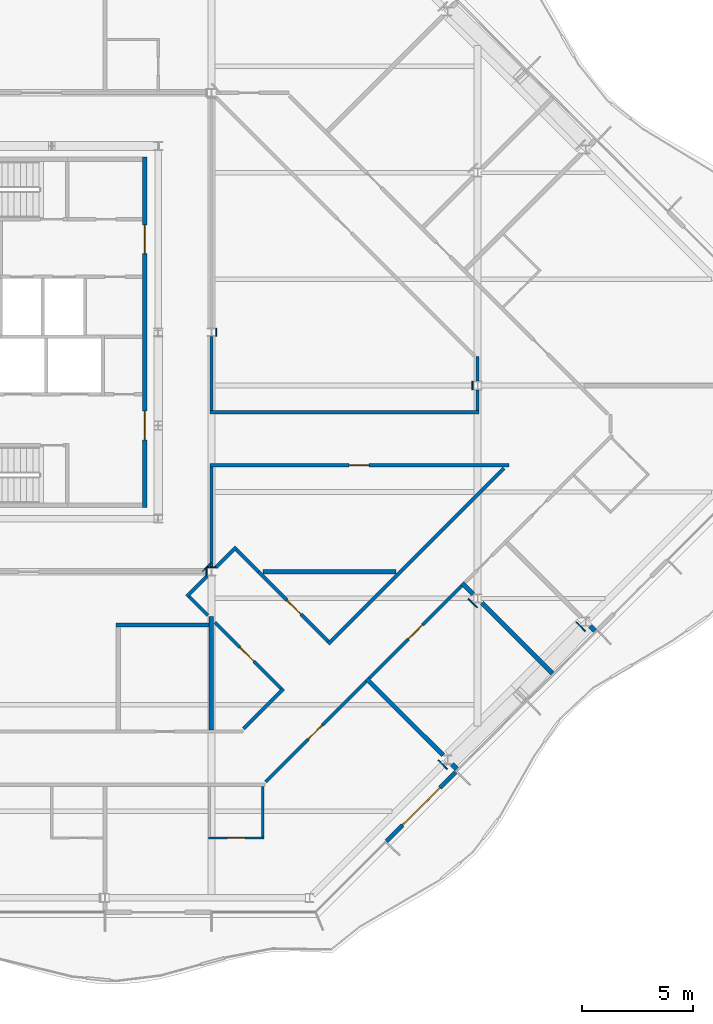
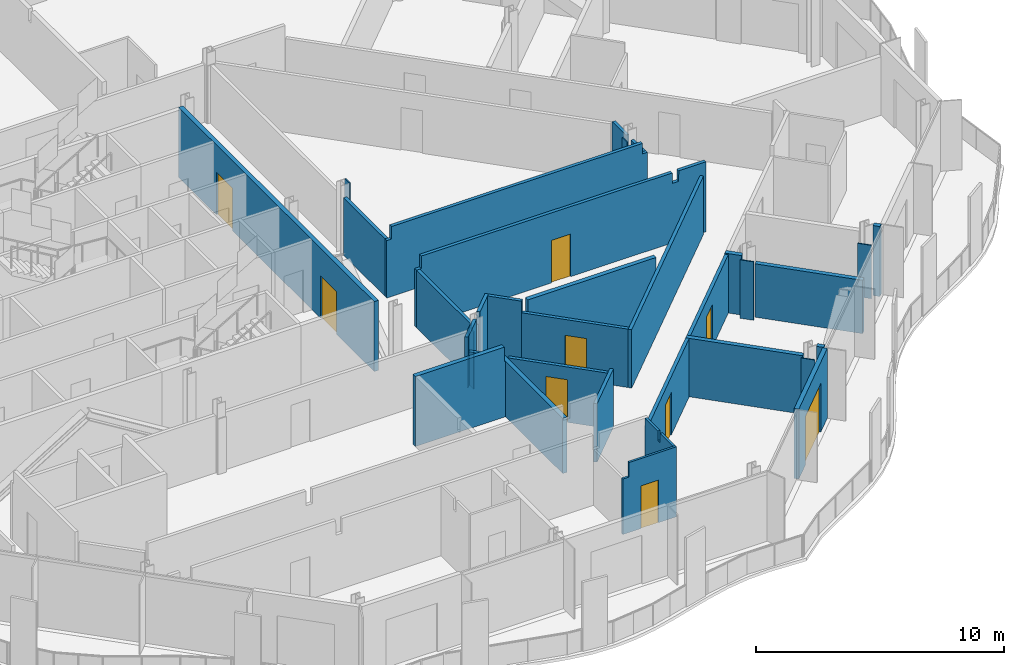
# One storey, part 9 of 17: 36 walls, 9 doors, 9 openings.
"""IFC4 building model written with IfcOpenShell, lengths in metres."""

from ifc_helpers import new_model, si_unit, direction, frame, frame_2d, origin, place, context, subcontext, project, spatial, polyline, rectangle, outline, extrude, material, layer, layer_set, type_object, element, fill, save


model = new_model("IFC4")

# Units and contexts
model_context = context("Model", 3, precision=1e-05, world=origin(), true_north=direction((0.0, 1.0)))
body_context = subcontext(model_context, "Body", "Model", "MODEL_VIEW")
ifc_project = project(units=[si_unit("LENGTHUNIT", "METRE"), si_unit("AREAUNIT", "SQUARE_METRE"), si_unit("VOLUMEUNIT", "CUBIC_METRE"), si_unit("PLANEANGLEUNIT", "RADIAN"), si_unit("MASSUNIT", "GRAM", prefix="KILO")], contexts=[model_context])

# Site, building, storey
site_placement = place(None, origin())
site = spatial("IfcSite", under=ifc_project, at=site_placement, CompositionType="ELEMENT")
building_placement = place(site_placement, origin())
building = spatial("IfcBuilding", under=site, at=building_placement, Name="Cairn Pilgrim Tower", CompositionType="ELEMENT")
storey_placement = place(building_placement, frame((0.0, 0.0, 239.39990234375)))
storey = spatial("IfcBuildingStorey", under=building, at=storey_placement, Name="L61", CompositionType="ELEMENT", Elevation=239.39990234375)

# Wall, opening, door
ifc_material_1 = material(Name="Bronze anodised aluminium insulated sandwich panel with mineral wool fill", Category="aluminium")
ifc_layer_1 = layer(ifc_material_1, 0.199951171875)
ifc_layer_set_1 = layer_set([ifc_layer_1], Name="BRONZE INFILL FRAME WALL 200")
wall_type_1 = type_object("IfcWallType", Name="BRONZE INFILL FRAME WALL 200", PredefinedType="NOTDEFINED", material=ifc_layer_set_1)
wall_1_placement = place(storey_placement, frame((27.09326171875, -20.55322265625, 0.0), z_axis=(0.0, 0.0, 1.0), x_axis=(0.707079231393, 0.707134329907, 0.0)))
wall_1 = element("IfcWall", 1, at=wall_1_placement, inside=storey, type_object=wall_type_1, Name="Bronze infill frame wall IW-SE2", PredefinedType="NOTDEFINED", context=body_context, shape_type="SweptSolid", body=[
    extrude(rectangle(XDim=4.430908203125, YDim=0.199951171875, at=frame_2d((2.21533203125, 0.0))), origin(), (0.0, 0.0, 1.0), 3.4501953125),
])
opening_1_placement = place(wall_1_placement, frame((1.015380859375, 0.0, 0.0)))
opening_1 = element("IfcOpeningElement", 2, at=opening_1_placement, cuts=wall_1, Name="Opening 6101B", PredefinedType="OPENING", context=body_context, shape_type="SweptSolid", body=[
    extrude(rectangle(XDim=2.39990234375, YDim=2.39990234375, at=frame_2d((1.199951171875, 1.199951171875))), frame((0.0, 0.10986328125, 0.0), z_axis=(0.0, -1.0, 0.0), x_axis=(1.0, 0.0, 0.0)), (0.0, 0.0, 1.0), 0.219970703125),
])
ifc_material_2 = material(Name="Bronze anodised aluminium frame with tinted low-E glass", Category="aluminium")
door_type_1 = type_object("IfcDoorType", Name="BALCONY SLIDING DOOR 2400x2400", OperationType="DOUBLE_DOOR_SLIDING", PredefinedType="DOOR", material=ifc_material_2)
door_1_placement = place(opening_1_placement, origin())
door_1 = element("IfcDoor", 3, at=door_1_placement, inside=storey, type_object=door_type_1, Name="Balcony sliding door 6101B", OperationType="SINGLE_SWING_LEFT", OverallHeight=2.39990234375, OverallWidth=2.39990234375, PredefinedType="DOOR", context=body_context, shape_type="SweptSolid", body=[
    extrude(rectangle(XDim=2.39990234375, YDim=2.39990234375, at=frame_2d((1.199951171875, 1.199951171875))), frame((0.0, 0.02490234375, 0.0), z_axis=(0.0, -1.0, 0.0), x_axis=(1.0, 0.0, 0.0)), (0.0, 0.0, 1.0), 0.050048828125),
])
fill(opening_1, door_1)

# Wall, openings, doors
ifc_material_3 = material(Name="Concrete C32/40", Category="concrete")
ifc_layer_2 = layer(ifc_material_3, 0.199951171875)
ifc_layer_set_2 = layer_set([ifc_layer_2], Name="CORE OUTER WALL 200 EI 120")
wall_type_2 = type_object("IfcWallType", Name="CORE OUTER WALL 200 EI 120", PredefinedType="SOLIDWALL", material=ifc_layer_set_2)
wall_2_placement = place(storey_placement, frame((16.199951171875, -5.5, 0.0), z_axis=(0.0, 0.0, 1.0), x_axis=(0.0, 1.0, 0.0)))
wall_2 = element("IfcWall", 4, at=wall_2_placement, inside=storey, type_object=wall_type_2, Name="CW:L61:V31", PredefinedType="SOLIDWALL", context=body_context, shape_type="SweptSolid", body=[
    extrude(rectangle(XDim=15.800048828125, YDim=0.199951171875, at=frame_2d((7.89990234375, 0.0))), origin(), (0.0, 0.0, 1.0), 3.4501953125),
])
opening_2_placement = place(wall_2_placement, frame((3.050048828125, 0.0, 0.0)))
opening_2 = element("IfcOpeningElement", 5, at=opening_2_placement, cuts=wall_2, Name="Opening CD-E1", PredefinedType="OPENING", context=body_context, shape_type="SweptSolid", body=[
    extrude(rectangle(XDim=1.300048828125, YDim=2.10009765625, at=frame_2d((0.64990234375, 1.050048828125))), frame((0.0, 0.10986328125, 0.0), z_axis=(0.0, -1.0, 0.0), x_axis=(1.0, 0.0, 0.0)), (0.0, 0.0, 1.0), 0.219970703125),
])
opening_3_placement = place(wall_2_placement, frame((11.449951171875, 0.0, 0.0)))
opening_3 = element("IfcOpeningElement", 6, at=opening_3_placement, cuts=wall_2, Name="Opening CD-E2", PredefinedType="OPENING", context=body_context, shape_type="SweptSolid", body=[
    extrude(rectangle(XDim=1.300048828125, YDim=2.10009765625, at=frame_2d((0.64990234375, 1.050048828125))), frame((0.0, 0.10986328125, 0.0), z_axis=(0.0, -1.0, 0.0), x_axis=(1.0, 0.0, 0.0)), (0.0, 0.0, 1.0), 0.219970703125),
])
ifc_material_4 = material(Name="Painted steel", Category="steel")
door_type_2 = type_object("IfcDoorType", Name="CORE LOBBY DOOR 1300x2100", OperationType="DOUBLE_DOOR_SINGLE_SWING", PredefinedType="DOOR", material=ifc_material_4)
door_2_placement = place(opening_2_placement, origin())
door_2 = element("IfcDoor", 7, at=door_2_placement, inside=storey, type_object=door_type_2, Name="CD-E1", OperationType="DOUBLE_DOOR_SINGLE_SWING", OverallHeight=2.10009765625, OverallWidth=1.300048828125, PredefinedType="DOOR", context=body_context, shape_type="SweptSolid", body=[
    extrude(rectangle(XDim=1.300048828125, YDim=2.10009765625, at=frame_2d((0.64990234375, 1.050048828125))), frame((0.0, 0.02490234375, 0.0), z_axis=(0.0, -1.0, 0.0), x_axis=(1.0, 0.0, 0.0)), (0.0, 0.0, 1.0), 0.050048828125),
])
fill(opening_2, door_2)
door_3_placement = place(opening_3_placement, origin())
door_3 = element("IfcDoor", 8, at=door_3_placement, inside=storey, type_object=door_type_2, Name="CD-E2", OperationType="DOUBLE_DOOR_SINGLE_SWING", OverallHeight=2.10009765625, OverallWidth=1.300048828125, PredefinedType="DOOR", context=body_context, shape_type="SweptSolid", body=[
    extrude(rectangle(XDim=1.300048828125, YDim=2.10009765625, at=frame_2d((0.64990234375, 1.050048828125))), frame((0.0, 0.02490234375, 0.0), z_axis=(0.0, -1.0, 0.0), x_axis=(1.0, 0.0, 0.0)), (0.0, 0.0, 1.0), 0.050048828125),
])
fill(opening_3, door_3)

# Wall, opening, door
ifc_material_5 = material(Name="Gypsum partition")
ifc_layer_3 = layer(ifc_material_5, 0.10009765625)
ifc_layer_set_3 = layer_set([ifc_layer_3], Name="PARTITION 100 DRYWALL")
wall_type_3 = type_object("IfcWallType", Name="PARTITION 100 DRYWALL", PredefinedType="PARTITIONING", material=ifc_layer_set_3)
wall_3_placement = place(storey_placement, frame((19.06494140625, -20.39990234375, 0.0), z_axis=(0.0, 0.0, 1.0), x_axis=(1.0, 0.0, 0.0)))
wall_3 = element("IfcWall", 9, at=wall_3_placement, inside=storey, type_object=wall_type_3, Name="PARTITION W005", PredefinedType="PARTITIONING", context=body_context, shape_type="SweptSolid", body=[
    extrude(outline(polyline([(0.0, 0.0), (2.5, 0.0), (2.5, 3.4501953125), (0.284912109375, 3.4501953125), (0.282958984375, 2.72998046875), (0.0, 2.72998046875), (0.0, 0.0)])), frame((0.0, 0.050048828125, 0.0), z_axis=(0.0, -1.0, 0.0), x_axis=(1.0, 0.0, 0.0)), (0.0, 0.0, 1.0), 0.10009765625),
])
opening_4_placement = place(wall_3_placement, frame((0.85009765625, 0.0, 0.0)))
opening_4 = element("IfcOpeningElement", 10, at=opening_4_placement, cuts=wall_3, Name="Opening 6101A", PredefinedType="OPENING", context=body_context, shape_type="SweptSolid", body=[
    extrude(rectangle(XDim=0.800048828125, YDim=2.10009765625, at=frame_2d((0.39990234375, 1.050048828125))), frame((0.0, 0.06005859375, 0.0), z_axis=(0.0, -1.0, 0.0), x_axis=(1.0, 0.0, 0.0)), (0.0, 0.0, 1.0), 0.1201171875),
])
ifc_material_6 = material(Name="Timber door leaf", Category="wood")
door_type_3 = type_object("IfcDoorType", Name="WC DOOR 800x2100", OperationType="NOTDEFINED", PredefinedType="DOOR", material=ifc_material_6)
door_4_placement = place(opening_4_placement, frame((0.800048828125, 0.0, 0.0), z_axis=(0.0, 0.0, 1.0), x_axis=(-1.0, 0.0, 0.0)))
door_4 = element("IfcDoor", 11, at=door_4_placement, inside=storey, type_object=door_type_3, Name="DOOR 6101A", OperationType="SINGLE_SWING_RIGHT", OverallHeight=2.10009765625, OverallWidth=0.800048828125, PredefinedType="DOOR", context=body_context, shape_type="SweptSolid", body=[
    extrude(rectangle(XDim=0.800048828125, YDim=2.10009765625, at=frame_2d((0.39990234375, 1.050048828125))), frame((0.0, 0.02490234375, 0.0), z_axis=(0.0, -1.0, 0.0), x_axis=(1.0, 0.0, 0.0)), (0.0, 0.0, 1.0), 0.050048828125),
])
fill(opening_4, door_4)

# Wall
wall_4_placement = place(storey_placement, frame((21.514892578125, -20.35009765625, 0.0), z_axis=(0.0, 0.0, 1.0), x_axis=(0.0, 1.0, 0.0)))
element("IfcWall", 12, at=wall_4_placement, inside=storey, type_object=wall_type_3, Name="PARTITION W007", PredefinedType="PARTITIONING", context=body_context, shape_type="SweptSolid", body=[
    extrude(outline(polyline([(0.0, 0.0), (2.275146484375, 0.0), (2.27490234375, 3.4501953125), (1.2451171875, 3.4501953125), (1.242919921875, 2.97998046875), (1.054931640625, 2.97998046875), (1.052978515625, 3.4501953125), (0.0, 3.4501953125), (0.0, 0.0)])), frame((0.0, 0.050048828125, 0.0), z_axis=(0.0, -1.0, 0.0), x_axis=(1.0, 0.0, 0.0)), (0.0, 0.0, 1.0), 0.10009765625),
])

# Wall, opening, door
ifc_layer_4 = layer(ifc_material_5, 0.14990234375)
ifc_layer_set_4 = layer_set([ifc_layer_4], Name="PARTITION 150 DRYWALL EI 60")
wall_type_4 = type_object("IfcWallType", Name="PARTITION 150 DRYWALL EI 60", PredefinedType="PARTITIONING", material=ifc_layer_set_4)
wall_5_placement = place(storey_placement, frame((21.64306640625, -17.8720703125, 0.0), z_axis=(0.0, 0.0, 1.0), x_axis=(0.707106781187, 0.707106781187, 0.0)))
wall_5 = element("IfcWall", 13, at=wall_5_placement, inside=storey, type_object=wall_type_4, Name="PARTITION W009", PredefinedType="PARTITIONING", context=body_context, shape_type="SweptSolid", body=[
    extrude(rectangle(XDim=6.408203125, YDim=0.14990234375, at=frame_2d((3.2041015625, 0.0))), origin(), (0.0, 0.0, 1.0), 2.880126953125),
])
opening_5_placement = place(wall_5_placement, frame((2.713134765625, 0.0, 0.0)))
opening_5 = element("IfcOpeningElement", 14, at=opening_5_placement, cuts=wall_5, Name="Opening 6101", PredefinedType="OPENING", context=body_context, shape_type="SweptSolid", body=[
    extrude(rectangle(XDim=0.89990234375, YDim=2.10009765625, at=frame_2d((0.449951171875, 1.050048828125))), frame((0.0, 0.0849609375, 0.0), z_axis=(0.0, -1.0, 0.0), x_axis=(1.0, 0.0, 0.0)), (0.0, 0.0, 1.0), 0.169921875),
])
door_type_4 = type_object("IfcDoorType", Name="ROOM DOOR 900x2100 FD30S", OperationType="NOTDEFINED", PredefinedType="DOOR", material=ifc_material_6)
door_5_placement = place(opening_5_placement, frame((0.89990234375, 0.0, 0.0), z_axis=(0.0, 0.0, 1.0), x_axis=(-1.0, 0.0, 0.0)))
door_5 = element("IfcDoor", 15, at=door_5_placement, inside=storey, type_object=door_type_4, Name="DOOR 6101", OperationType="SINGLE_SWING_RIGHT", OverallHeight=2.10009765625, OverallWidth=0.89990234375, PredefinedType="DOOR", context=body_context, shape_type="SweptSolid", body=[
    extrude(rectangle(XDim=0.89990234375, YDim=2.10009765625, at=frame_2d((0.449951171875, 1.050048828125))), frame((0.0, 0.02490234375, 0.0), z_axis=(0.0, -1.0, 0.0), x_axis=(1.0, 0.0, 0.0)), (0.0, 0.0, 1.0), 0.050048828125),
])
fill(opening_5, door_5)

# Wall
wall_6_placement = place(storey_placement, frame((20.64892578125, -15.471923828125, 0.0), z_axis=(0.0, 0.0, 1.0), x_axis=(0.707106781187, 0.707106781187, 0.0)))
element("IfcWall", 16, at=wall_6_placement, inside=storey, type_object=wall_type_4, Name="PARTITION W016", PredefinedType="PARTITIONING", context=body_context, shape_type="SweptSolid", body=[
    extrude(rectangle(XDim=2.55126953125, YDim=0.14990234375, at=frame_2d((1.275634765625, 0.0))), origin(), (0.0, 0.0, 1.0), 2.880126953125),
])

# Wall, opening, door
wall_7_placement = place(storey_placement, frame((22.346923828125, -13.66796875, 0.0), z_axis=(0.0, 0.0, 1.0), x_axis=(-0.707106781187, 0.707106781187, 0.0)))
wall_7 = element("IfcWall", 17, at=wall_7_placement, inside=storey, type_object=wall_type_4, Name="PARTITION W018", PredefinedType="PARTITIONING", context=body_context, shape_type="SweptSolid", body=[
    extrude(rectangle(XDim=4.234130859375, YDim=0.14990234375, at=frame_2d((2.1171875, 0.0))), origin(), (0.0, 0.0, 1.0), 2.72998046875),
])
opening_6_placement = place(wall_7_placement, frame((1.737060546875, 0.0, 0.0)))
opening_6 = element("IfcOpeningElement", 18, at=opening_6_placement, cuts=wall_7, Name="Opening 6117", PredefinedType="OPENING", context=body_context, shape_type="SweptSolid", body=[
    extrude(rectangle(XDim=0.89990234375, YDim=2.10009765625, at=frame_2d((0.449951171875, 1.050048828125))), frame((0.0, 0.0849609375, 0.0), z_axis=(0.0, -1.0, 0.0), x_axis=(1.0, 0.0, 0.0)), (0.0, 0.0, 1.0), 0.169921875),
])
door_type_5 = type_object("IfcDoorType", Name="SERVICE DOOR 900x2100 FD30S", OperationType="NOTDEFINED", PredefinedType="DOOR", material=ifc_material_6)
door_6_placement = place(opening_6_placement, origin())
door_6 = element("IfcDoor", 19, at=door_6_placement, inside=storey, type_object=door_type_5, Name="DOOR 6117", OperationType="SINGLE_SWING_LEFT", OverallHeight=2.10009765625, OverallWidth=0.89990234375, PredefinedType="DOOR", context=body_context, shape_type="SweptSolid", body=[
    extrude(rectangle(XDim=0.89990234375, YDim=2.10009765625, at=frame_2d((0.449951171875, 1.050048828125))), frame((0.0, 0.02490234375, 0.0), z_axis=(0.0, -1.0, 0.0), x_axis=(1.0, 0.0, 0.0)), (0.0, 0.0, 1.0), 0.050048828125),
])
fill(opening_6, door_6)

wall_8_placement = place(storey_placement, frame((26.315673828125, -13.19921875, 0.0), z_axis=(0.0, 0.0, 1.0), x_axis=(0.707024001185, 0.707189551498, 0.0)))
wall_8 = element("IfcWall", 20, at=wall_8_placement, inside=storey, type_object=wall_type_4, Name="PARTITION W020", PredefinedType="PARTITIONING", context=body_context, shape_type="SweptSolid", body=[
    extrude(rectangle(XDim=5.89892578125, YDim=0.14990234375, at=frame_2d((2.949462890625, 0.0))), origin(), (0.0, 0.0, 1.0), 2.880126953125),
])
opening_7_placement = place(wall_8_placement, frame((2.499755859375, 0.0, 0.0)))
opening_7 = element("IfcOpeningElement", 21, at=opening_7_placement, cuts=wall_8, Name="Opening 6102", PredefinedType="OPENING", context=body_context, shape_type="SweptSolid", body=[
    extrude(rectangle(XDim=0.89990234375, YDim=2.10009765625, at=frame_2d((0.449951171875, 1.050048828125))), frame((0.0, 0.0849609375, 0.0), z_axis=(0.0, -1.0, 0.0), x_axis=(1.0, 0.0, 0.0)), (0.0, 0.0, 1.0), 0.169921875),
])
door_7_placement = place(opening_7_placement, frame((0.89990234375, 0.0, 0.0), z_axis=(0.0, 0.0, 1.0), x_axis=(-1.0, 0.0, 0.0)))
door_7 = element("IfcDoor", 22, at=door_7_placement, inside=storey, type_object=door_type_5, Name="DOOR 6102", OperationType="SINGLE_SWING_RIGHT", OverallHeight=2.10009765625, OverallWidth=0.89990234375, PredefinedType="DOOR", context=body_context, shape_type="SweptSolid", body=[
    extrude(rectangle(XDim=0.89990234375, YDim=2.10009765625, at=frame_2d((0.449951171875, 1.050048828125))), frame((0.0, 0.02490234375, 0.0), z_axis=(0.0, -1.0, 0.0), x_axis=(1.0, 0.0, 0.0)), (0.0, 0.0, 1.0), 0.050048828125),
])
fill(opening_7, door_7)

# Wall
wall_9_placement = place(storey_placement, frame((24.468017578125, -11.653076171875, 0.0), z_axis=(0.0, 0.0, 1.0), x_axis=(0.707095889299, 0.707117672906, 0.0)))
element("IfcWall", 23, at=wall_9_placement, inside=storey, type_object=wall_type_4, Name="PARTITION W023", PredefinedType="PARTITIONING", context=body_context, shape_type="SweptSolid", body=[
    extrude(rectangle(XDim=11.20751953125, YDim=0.14990234375, at=frame_2d((5.603759765625, 0.0))), origin(), (0.0, 0.0, 1.0), 2.880126953125),
])

# Wall, opening, door
wall_10_placement = place(storey_placement, frame((24.468017578125, -11.547119140625, 0.0), z_axis=(0.0, 0.0, 1.0), x_axis=(-0.707079353217, 0.707134208093, 0.0)))
wall_10 = element("IfcWall", 24, at=wall_10_placement, inside=storey, type_object=wall_type_4, Name="PARTITION W026", PredefinedType="PARTITIONING", context=body_context, shape_type="SweptSolid", body=[
    extrude(rectangle(XDim=4.45068359375, YDim=0.14990234375, at=frame_2d((2.225341796875, 0.0))), origin(), (0.0, 0.0, 1.0), 2.880126953125),
])
opening_8_placement = place(wall_10_placement, frame((1.738525390625, 0.0, 0.0)))
opening_8 = element("IfcOpeningElement", 25, at=opening_8_placement, cuts=wall_10, Name="Opening 6118", PredefinedType="OPENING", context=body_context, shape_type="SweptSolid", body=[
    extrude(rectangle(XDim=0.89990234375, YDim=2.10009765625, at=frame_2d((0.449951171875, 1.050048828125))), frame((0.0, 0.0849609375, 0.0), z_axis=(0.0, -1.0, 0.0), x_axis=(1.0, 0.0, 0.0)), (0.0, 0.0, 1.0), 0.169921875),
])
door_8_placement = place(opening_8_placement, frame((0.89990234375, 0.0, 0.0), z_axis=(0.0, 0.0, 1.0), x_axis=(-1.0, 0.0, 0.0)))
door_8 = element("IfcDoor", 26, at=door_8_placement, inside=storey, type_object=door_type_5, Name="DOOR 6118", OperationType="SINGLE_SWING_LEFT", OverallHeight=2.10009765625, OverallWidth=0.89990234375, PredefinedType="DOOR", context=body_context, shape_type="SweptSolid", body=[
    extrude(rectangle(XDim=0.89990234375, YDim=2.10009765625, at=frame_2d((0.449951171875, 1.050048828125))), frame((0.0, 0.02490234375, 0.0), z_axis=(0.0, -1.0, 0.0), x_axis=(1.0, 0.0, 0.0)), (0.0, 0.0, 1.0), 0.050048828125),
])
fill(opening_8, door_8)

# Walls
wall_11_placement = place(storey_placement, frame((19.047119140625, -10.3681640625, 0.0), z_axis=(0.0, 0.0, 1.0), x_axis=(-0.707409718716, 0.706803713817, 0.0)))
element("IfcWall", 27, at=wall_11_placement, inside=storey, type_object=wall_type_4, Name="PARTITION W029", PredefinedType="PARTITIONING", context=body_context, shape_type="SweptSolid", body=[
    extrude(rectangle(XDim=1.20849609375, YDim=0.14990234375, at=frame_2d((0.604248046875, 0.0))), origin(), (0.0, 0.0, 1.0), 2.72998046875),
])
wall_12_placement = place(storey_placement, frame((18.0859375, -9.513916015625, 0.0), z_axis=(0.0, 0.0, 1.0), x_axis=(0.707200419109, 0.707013130862, 0.0)))
element("IfcWall", 28, at=wall_12_placement, inside=storey, type_object=wall_type_4, Name="PARTITION W031", PredefinedType="PARTITIONING", context=body_context, shape_type="SweptSolid", body=[
    extrude(rectangle(XDim=1.303466796875, YDim=0.14990234375, at=frame_2d((0.65185546875, 0.0))), origin(), (0.0, 0.0, 1.0), 3.4501953125),
])
wall_13_placement = place(storey_placement, frame((21.321044921875, -8.39990234375, 0.0), z_axis=(0.0, 0.0, 1.0), x_axis=(-0.706763941595, 0.707449454633, 0.0)))
element("IfcWall", 29, at=wall_13_placement, inside=storey, type_object=wall_type_4, Name="PARTITION W036", PredefinedType="PARTITIONING", context=body_context, shape_type="SweptSolid", body=[
    extrude(rectangle(XDim=1.424560546875, YDim=0.14990234375, at=frame_2d((0.71240234375, 0.0))), origin(), (0.0, 0.0, 1.0), 3.4501953125),
])
wall_14_placement = place(storey_placement, frame((19.199951171875, -8.21240234375, 0.0), z_axis=(0.0, 0.0, 1.0), x_axis=(0.0, 1.0, 0.0)))
element("IfcWall", 30, at=wall_14_placement, inside=storey, type_object=wall_type_4, Name="PARTITION W039", PredefinedType="PARTITIONING", context=body_context, shape_type="SweptSolid", body=[
    extrude(rectangle(XDim=4.537353515625, YDim=0.14990234375, at=frame_2d((2.2685546875, 0.0))), origin(), (0.0, 0.0, 1.0), 2.830078125),
])
wall_15_placement = place(storey_placement, frame((19.392333984375, -8.207763671875, 0.0), z_axis=(0.0, 0.0, 1.0), x_axis=(0.707106781187, 0.707106781187, 0.0)))
element("IfcWall", 31, at=wall_15_placement, inside=storey, type_object=wall_type_4, Name="PARTITION W040", PredefinedType="PARTITIONING", context=body_context, shape_type="SweptSolid", body=[
    extrude(rectangle(XDim=1.3037109375, YDim=0.14990234375, at=frame_2d((0.65185546875, 0.0))), origin(), (0.0, 0.0, 1.0), 3.4501953125),
])

# Wall, opening, door
wall_16_placement = place(storey_placement, frame((19.125, -3.60009765625, 0.0), z_axis=(0.0, 0.0, 1.0), x_axis=(1.0, 0.0, 0.0)))
wall_16 = element("IfcWall", 32, at=wall_16_placement, inside=storey, type_object=wall_type_4, Name="PARTITION W046", PredefinedType="PARTITIONING", context=body_context, shape_type="SweptSolid", body=[
    extrude(outline(polyline([(0.0, 0.0), (13.502197265625, 0.0), (13.502197265625, 3.4501953125), (12.22509765625, 3.4501953125), (12.222900390625, 2.93017578125), (11.925048828125, 2.93017578125), (11.923095703125, 3.4501953125), (0.22509765625, 3.4501953125), (0.222900390625, 2.830078125), (0.0, 2.830078125), (0.0, 0.0)])), frame((0.0, 0.074951171875, 0.0), z_axis=(0.0, -1.0, 0.0), x_axis=(1.0, 0.0, 0.0)), (0.0, 0.0, 1.0), 0.14990234375),
])
opening_9_placement = place(wall_16_placement, frame((6.285888671875, 0.0, 0.0)))
opening_9 = element("IfcOpeningElement", 33, at=opening_9_placement, cuts=wall_16, Name="Opening 6119", PredefinedType="OPENING", context=body_context, shape_type="SweptSolid", body=[
    extrude(rectangle(XDim=0.89990234375, YDim=2.10009765625, at=frame_2d((0.449951171875, 1.050048828125))), frame((0.0, 0.0849609375, 0.0), z_axis=(0.0, -1.0, 0.0), x_axis=(1.0, 0.0, 0.0)), (0.0, 0.0, 1.0), 0.169921875),
])
door_9_placement = place(opening_9_placement, frame((0.89990234375, 0.0, 0.0), z_axis=(0.0, 0.0, 1.0), x_axis=(-1.0, 0.0, 0.0)))
door_9 = element("IfcDoor", 34, at=door_9_placement, inside=storey, type_object=door_type_5, Name="DOOR 6119", OperationType="SINGLE_SWING_LEFT", OverallHeight=2.10009765625, OverallWidth=0.89990234375, PredefinedType="DOOR", context=body_context, shape_type="SweptSolid", body=[
    extrude(rectangle(XDim=0.89990234375, YDim=2.10009765625, at=frame_2d((0.449951171875, 1.050048828125))), frame((0.0, 0.02490234375, 0.0), z_axis=(0.0, -1.0, 0.0), x_axis=(1.0, 0.0, 0.0)), (0.0, 0.0, 1.0), 0.050048828125),
])
fill(opening_9, door_9)

# Walls
wall_17_placement = place(storey_placement, frame((19.125, -1.199951171875, 0.0), z_axis=(0.0, 0.0, 1.0), x_axis=(1.0, 0.0, 0.0)))
element("IfcWall", 35, at=wall_17_placement, inside=storey, type_object=wall_type_4, Name="PARTITION W051", PredefinedType="PARTITIONING", context=body_context, shape_type="SweptSolid", body=[
    extrude(outline(polyline([(0.0, 0.0), (12.14990234375, 0.0), (12.14990234375, 2.93017578125), (11.925048828125, 2.93017578125), (11.923095703125, 3.4501953125), (0.22509765625, 3.4501953125), (0.222900390625, 2.830078125), (0.0, 2.830078125), (0.0, 0.0)])), frame((0.0, 0.074951171875, 0.0), z_axis=(0.0, -1.0, 0.0), x_axis=(1.0, 0.0, 0.0)), (0.0, 0.0, 1.0), 0.14990234375),
])
wall_18_placement = place(storey_placement, frame((19.199951171875, -1.125, 0.0), z_axis=(0.0, 0.0, 1.0), x_axis=(0.0, 1.0, 0.0)))
element("IfcWall", 36, at=wall_18_placement, inside=storey, type_object=wall_type_4, Name="PARTITION W052", PredefinedType="PARTITIONING", context=body_context, shape_type="SweptSolid", body=[
    extrude(rectangle(XDim=3.33740234375, YDim=0.14990234375, at=frame_2d((1.668701171875, 0.0))), origin(), (0.0, 0.0, 1.0), 2.830078125),
])
wall_19_placement = place(storey_placement, frame((31.199951171875, -1.125, 0.0), z_axis=(0.0, 0.0, 1.0), x_axis=(0.0, 1.0, 0.0)))
element("IfcWall", 37, at=wall_19_placement, inside=storey, type_object=wall_type_4, Name="PARTITION W053", PredefinedType="PARTITIONING", context=body_context, shape_type="SweptSolid", body=[
    extrude(rectangle(XDim=0.928466796875, YDim=0.14990234375, at=frame_2d((0.46435546875, 0.0))), origin(), (0.0, 0.0, 1.0), 2.93017578125),
])
wall_20_placement = place(storey_placement, frame((31.199951171875, 0.196533203125, 0.0), z_axis=(0.0, 0.0, 1.0), x_axis=(0.0, 1.0, 0.0)))
element("IfcWall", 38, at=wall_20_placement, inside=storey, type_object=wall_type_4, Name="PARTITION W056", PredefinedType="PARTITIONING", context=body_context, shape_type="SweptSolid", body=[
    extrude(rectangle(XDim=1.109619140625, YDim=0.14990234375, at=frame_2d((0.5546875, 0.0))), origin(), (0.0, 0.0, 1.0), 2.93017578125),
])
ifc_layer_5 = layer(ifc_material_5, 0.050048828125)
ifc_layer_set_5 = layer_set([ifc_layer_5], Name="PARTITION 50 DRYWALL EI 60")
wall_type_5 = type_object("IfcWallType", Name="PARTITION 50 DRYWALL EI 60", PredefinedType="PARTITIONING", material=ifc_layer_set_5)
wall_21_placement = place(storey_placement, frame((29.833984375, -17.298828125, 0.0), z_axis=(0.0, 0.0, 1.0), x_axis=(-0.707319540847, 0.70689395749, 0.0)))
element("IfcWall", 39, at=wall_21_placement, inside=storey, type_object=wall_type_5, Name="COLUMN CASING WC02", PredefinedType="PARTITIONING", context=body_context, shape_type="SweptSolid", body=[
    extrude(rectangle(XDim=0.57373046875, YDim=0.050048828125, at=frame_2d((0.286865234375, 0.0))), origin(), (0.0, 0.0, 1.0), 2.93017578125),
])
wall_22_placement = place(storey_placement, frame((31.182373046875, -10.013671875, 0.0), z_axis=(0.0, 0.0, 1.0), x_axis=(-0.707106781187, 0.707106781187, 0.0)))
element("IfcWall", 40, at=wall_22_placement, inside=storey, type_object=wall_type_5, Name="COLUMN CASING WC06", PredefinedType="PARTITIONING", context=body_context, shape_type="SweptSolid", body=[
    extrude(rectangle(XDim=0.56005859375, YDim=0.050048828125, at=frame_2d((0.280029296875, 0.0))), origin(), (0.0, 0.0, 1.0), 2.880126953125),
])
wall_23_placement = place(storey_placement, frame((36.05810546875, -11.07470703125, 0.0), z_axis=(0.0, 0.0, 1.0), x_axis=(-0.707106781187, 0.707106781187, 0.0)))
element("IfcWall", 41, at=wall_23_placement, inside=storey, type_object=wall_type_5, Name="COLUMN CASING WC07", PredefinedType="PARTITIONING", context=body_context, shape_type="SweptSolid", body=[
    extrude(rectangle(XDim=0.573486328125, YDim=0.050048828125, at=frame_2d((0.28662109375, 0.0))), origin(), (0.0, 0.0, 1.0), 2.630126953125),
])
wall_24_placement = place(storey_placement, frame((18.7978515625, -8.38232421875, 0.0), z_axis=(0.0, 0.0, 1.0), x_axis=(0.707106781187, 0.707106781187, 0.0)))
element("IfcWall", 42, at=wall_24_placement, inside=storey, type_object=wall_type_5, Name="COLUMN CASING WC08", PredefinedType="PARTITIONING", context=body_context, shape_type="SweptSolid", body=[
    extrude(rectangle(XDim=0.543701171875, YDim=0.050048828125, at=frame_2d((0.27197265625, 0.0))), origin(), (0.0, 0.0, 1.0), 2.830078125),
])
wall_25_placement = place(storey_placement, frame((19.0029296875, -8.1875, 0.0), z_axis=(0.0, 0.0, 1.0), x_axis=(1.0, 0.0, 0.0)))
element("IfcWall", 43, at=wall_25_placement, inside=storey, type_object=wall_type_5, Name="COLUMN CASING WC10", PredefinedType="PARTITIONING", context=body_context, shape_type="SweptSolid", body=[
    extrude(rectangle(XDim=0.39404296875, YDim=0.050048828125, at=frame_2d((0.197021484375, 0.0))), origin(), (0.0, 0.0, 1.0), 2.830078125),
])
wall_26_placement = place(storey_placement, frame((18.97802734375, -8.58740234375, 0.0), z_axis=(0.0, 0.0, 1.0), x_axis=(0.0, 1.0, 0.0)))
element("IfcWall", 44, at=wall_26_placement, inside=storey, type_object=wall_type_5, Name="COLUMN CASING WC11", PredefinedType="PARTITIONING", context=body_context, shape_type="SweptSolid", body=[
    extrude(rectangle(XDim=0.375, YDim=0.050048828125, at=frame_2d((0.1875, 0.0))), origin(), (0.0, 0.0, 1.0), 2.830078125),
])
wall_27_placement = place(storey_placement, frame((19.422119140625, 2.21240234375, 0.0), z_axis=(0.0, 0.0, 1.0), x_axis=(0.0, 1.0, 0.0)))
element("IfcWall", 45, at=wall_27_placement, inside=storey, type_object=wall_type_5, Name="COLUMN CASING WC12", PredefinedType="PARTITIONING", context=body_context, shape_type="SweptSolid", body=[
    extrude(rectangle(XDim=0.375, YDim=0.050048828125, at=frame_2d((0.1875, 0.0))), origin(), (0.0, 0.0, 1.0), 3.4501953125),
])
wall_28_placement = place(storey_placement, frame((30.9755859375, -0.196533203125, 0.0), z_axis=(0.0, 0.0, 1.0), x_axis=(0.0, 1.0, 0.0)))
element("IfcWall", 46, at=wall_28_placement, inside=storey, type_object=wall_type_5, Name="COLUMN CASING WC14", PredefinedType="PARTITIONING", context=body_context, shape_type="SweptSolid", body=[
    extrude(rectangle(XDim=0.39306640625, YDim=0.050048828125, at=frame_2d((0.196533203125, 0.0))), origin(), (0.0, 0.0, 1.0), 2.880126953125),
])
ifc_layer_6 = layer(ifc_material_5, 0.199951171875)
ifc_layer_set_6 = layer_set([ifc_layer_6], Name="SHAFT WALL 200 GYPSUM EI 60")
wall_type_6 = type_object("IfcWallType", Name="SHAFT WALL 200 GYPSUM EI 60", PredefinedType="PARTITIONING", material=ifc_layer_set_6)
wall_29_placement = place(storey_placement, frame((30.268798828125, -17.292724609375, 0.0), z_axis=(0.0, 0.0, 1.0), x_axis=(-0.707509117806, 0.706704215511, 0.0)))
element("IfcWall", 47, at=wall_29_placement, inside=storey, type_object=wall_type_6, Name="PARTITION W010", PredefinedType="PARTITIONING", context=body_context, shape_type="SweptSolid", body=[
    extrude(rectangle(XDim=0.30322265625, YDim=0.199951171875, at=frame_2d((0.151611328125, 0.0))), origin(), (0.0, 0.0, 1.0), 3.4501953125),
])
wall_30_placement = place(storey_placement, frame((29.648681640625, -16.673095703125, 0.0), z_axis=(0.0, 0.0, 1.0), x_axis=(-0.707181695824, 0.707031858612, 0.0)))
element("IfcWall", 48, at=wall_30_placement, inside=storey, type_object=wall_type_6, Name="PARTITION W011", PredefinedType="PARTITIONING", context=body_context, shape_type="SweptSolid", body=[
    extrude(rectangle(XDim=4.88818359375, YDim=0.199951171875, at=frame_2d((2.444091796875, 0.0))), origin(), (0.0, 0.0, 1.0), 2.880126953125),
])
wall_31_placement = place(storey_placement, frame((19.199951171875, -15.52490234375, 0.0), z_axis=(0.0, 0.0, 1.0), x_axis=(0.0, 1.0, 0.0)))
element("IfcWall", 49, at=wall_31_placement, inside=storey, type_object=wall_type_6, Name="PARTITION W015", PredefinedType="PARTITIONING", context=body_context, shape_type="SweptSolid", body=[
    extrude(rectangle(XDim=5.120361328125, YDim=0.199951171875, at=frame_2d((2.56005859375, 0.0))), origin(), (0.0, 0.0, 1.0), 2.72998046875),
])
wall_32_placement = place(storey_placement, frame((34.580810546875, -12.980712890625, 0.0), z_axis=(0.0, 0.0, 1.0), x_axis=(-0.707133900936, 0.707079660397, 0.0)))
element("IfcWall", 50, at=wall_32_placement, inside=storey, type_object=wall_type_6, Name="PARTITION W021", PredefinedType="PARTITIONING", context=body_context, shape_type="SweptSolid", body=[
    extrude(rectangle(XDim=4.5009765625, YDim=0.199951171875, at=frame_2d((2.25048828125, 0.0))), origin(), (0.0, 0.0, 1.0), 2.630126953125),
])
wall_33_placement = place(storey_placement, frame((36.492919921875, -11.06884765625, 0.0), z_axis=(0.0, 0.0, 1.0), x_axis=(-0.707106781187, 0.707106781187, 0.0)))
element("IfcWall", 51, at=wall_33_placement, inside=storey, type_object=wall_type_6, Name="PARTITION W027", PredefinedType="PARTITIONING", context=body_context, shape_type="SweptSolid", body=[
    extrude(rectangle(XDim=0.303466796875, YDim=0.199951171875, at=frame_2d((0.15185546875, 0.0))), origin(), (0.0, 0.0, 1.0), 3.4501953125),
])
wall_34_placement = place(storey_placement, frame((14.89990234375, -10.800048828125, 0.0), z_axis=(0.0, 0.0, 1.0), x_axis=(1.0, 0.0, 0.0)))
element("IfcWall", 52, at=wall_34_placement, inside=storey, type_object=wall_type_6, Name="PARTITION W028", PredefinedType="PARTITIONING", context=body_context, shape_type="SweptSolid", body=[
    extrude(outline(polyline([(0.0, 0.0), (4.2001953125, 0.0), (4.199951171875, 2.72998046875), (4.14990234375, 2.72998046875), (4.14794921875, 3.4501953125), (0.0, 3.4501953125), (0.0, 0.0)])), frame((0.0, 0.10009765625, 0.0), z_axis=(0.0, -1.0, 0.0), x_axis=(1.0, 0.0, 0.0)), (0.0, 0.0, 1.0), 0.199951171875),
])
wall_35_placement = place(storey_placement, frame((31.001953125, -9.402099609375, 0.0), z_axis=(0.0, 0.0, 1.0), x_axis=(-0.707106781187, 0.707106781187, 0.0)))
element("IfcWall", 53, at=wall_35_placement, inside=storey, type_object=wall_type_6, Name="PARTITION W032", PredefinedType="PARTITIONING", context=body_context, shape_type="SweptSolid", body=[
    extrude(rectangle(XDim=0.704345703125, YDim=0.199951171875, at=frame_2d((0.35205078125, 0.0))), origin(), (0.0, 0.0, 1.0), 2.93017578125),
])
wall_36_placement = place(storey_placement, frame((21.52685546875, -8.39990234375, 0.0), z_axis=(0.0, 0.0, 1.0), x_axis=(1.0, 0.0, 0.0)))
element("IfcWall", 54, at=wall_36_placement, inside=storey, type_object=wall_type_6, Name="PARTITION W037", PredefinedType="PARTITIONING", context=body_context, shape_type="SweptSolid", body=[
    extrude(rectangle(XDim=5.988037109375, YDim=0.199951171875, at=frame_2d((2.994140625, 0.0))), origin(), (0.0, 0.0, 1.0), 3.4501953125),
])

save(model, "model.ifc")
